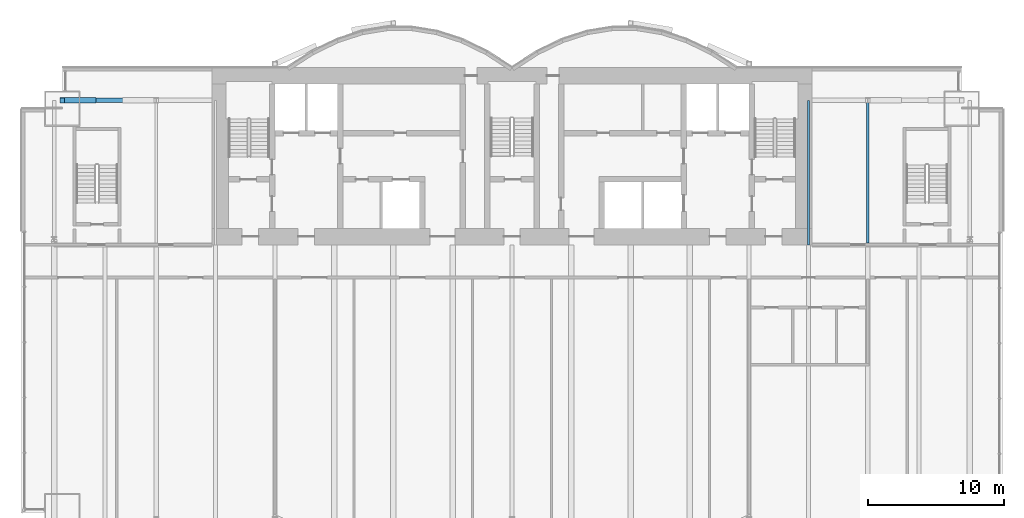
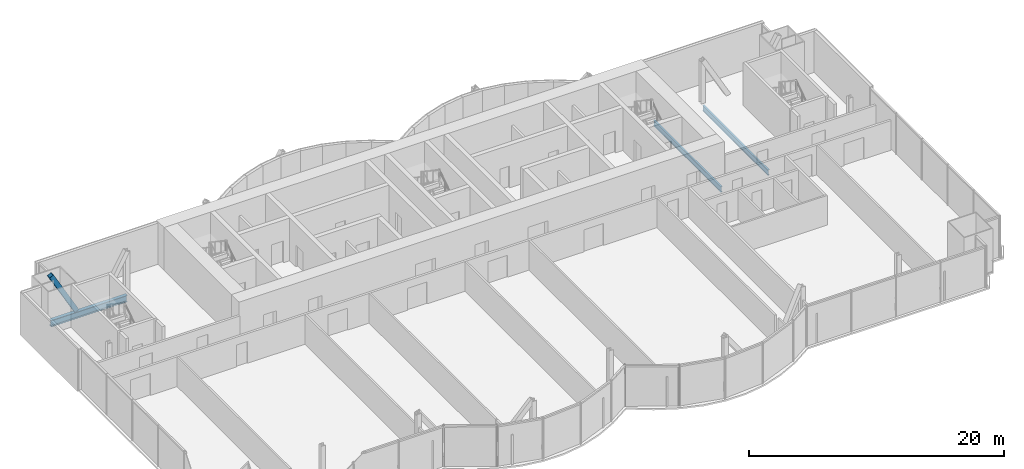
# One storey, part 10 of 22: 3 beams, 1 member.
"""IFC4 building model written with IfcOpenShell, lengths in metres."""

from ifc_helpers import new_model, si_unit, direction, frame, origin, origin_2d, place, context, subcontext, project, spatial, hollow_rectangle, i_section, extrude, material, material_profile, profile_set, type_object, element, save


model = new_model("IFC4")

# Units and contexts
model_context = context("Model", 3, precision=1e-05, world=origin(), true_north=direction((0.0, 1.0)))
body_context = subcontext(model_context, "Body", "Model", "MODEL_VIEW")
ifc_project = project(units=[si_unit("LENGTHUNIT", "METRE"), si_unit("AREAUNIT", "SQUARE_METRE"), si_unit("VOLUMEUNIT", "CUBIC_METRE"), si_unit("PLANEANGLEUNIT", "RADIAN"), si_unit("MASSUNIT", "GRAM", prefix="KILO")], contexts=[model_context])

# Site, building, storey
site_placement = place(None, origin())
site = spatial("IfcSite", under=ifc_project, at=site_placement, CompositionType="ELEMENT")
building_placement = place(site_placement, origin())
building = spatial("IfcBuilding", under=site, at=building_placement, Name="Bicima Exchange Tower", CompositionType="ELEMENT")
storey_placement = place(building_placement, frame((0.0, 0.0, 148.60009765625)))
storey = spatial("IfcBuildingStorey", under=building, at=storey_placement, Name="L32", CompositionType="ELEMENT", Elevation=148.60009765625)

# Beams
ifc_material_1 = material(Name="Steel ASTM A992 Gr 50", Category="steel")
ifc_material_profile_1 = material_profile(ifc_material_1, i_section(OverallWidth=0.165771484375, OverallDepth=0.5283203125, WebThickness=0.009765625, FlangeThickness=0.013671875, at=origin_2d()))
ifc_profile_set_1 = profile_set([ifc_material_profile_1], Name="Steel ASTM A992 Gr 50")
beam_type_1 = type_object("IfcBeamType", Name="Floor beam W21x50", PredefinedType="JOIST", material=ifc_profile_set_1)
beam_1_placement = place(storey_placement, frame((21.75, -2.39990234375, -0.414306640625), z_axis=(0.0, -1.0, 0.0), x_axis=(1.0, 0.0, 0.0)))
element("IfcBeam", 1, at=beam_1_placement, inside=storey, type_object=beam_type_1, Name="Floor beam", PredefinedType="JOIST", context=body_context, shape_type="SweptSolid", body=[
    extrude(i_section(OverallWidth=0.165771484375, OverallDepth=0.5283203125, WebThickness=0.009765625, FlangeThickness=0.013671875, at=origin_2d()), origin(), (0.0, 0.0, 1.0), 10.60009765625),
])
beam_2_placement = place(storey_placement, frame((26.10009765625, -2.5625, -0.414306640625), z_axis=(0.0, -1.0, 0.0), x_axis=(1.0, 0.0, 0.0)))
element("IfcBeam", 2, at=beam_2_placement, inside=storey, type_object=beam_type_1, Name="Floor beam", PredefinedType="JOIST", context=body_context, shape_type="SweptSolid", body=[
    extrude(i_section(OverallWidth=0.165771484375, OverallDepth=0.5283203125, WebThickness=0.009765625, FlangeThickness=0.013671875, at=origin_2d()), origin(), (0.0, 0.0, 1.0), 10.28515625),
])

# Member
ifc_material_2 = material(Name="Steel ASTM A572 Gr 50", Category="steel")
ifc_material_profile_2 = material_profile(ifc_material_2, hollow_rectangle(XDim=0.406494140625, YDim=0.406494140625, WallThickness=0.017822265625, at=origin_2d()))
ifc_profile_set_2 = profile_set([ifc_material_profile_2], Name="Steel ASTM A572 Gr 50")
member_type = type_object("IfcMemberType", Name="Mega brace HSS16x16x3/4", PredefinedType="BRACE", material=ifc_profile_set_2)
member_placement = place(storey_placement, frame((-30.699951171875, -2.39990234375, 0.0), z_axis=(-0.489272170815, 0.0, 0.872131150037), x_axis=(0.0, -1.0, 0.0)))
element("IfcMember", 3, at=member_placement, inside=storey, type_object=member_type, Name="Mega brace rear", PredefinedType="BRACE", context=body_context, shape_type="SweptSolid", body=[
    extrude(hollow_rectangle(XDim=0.406494140625, YDim=0.406494140625, WallThickness=0.017822265625, at=origin_2d()), origin(), (0.0, 0.0, 1.0), 4.700927734375),
])

# Beam
ifc_material_profile_3 = material_profile(ifc_material_1, i_section(OverallWidth=0.3251953125, OverallDepth=0.612060546875, WebThickness=0.0126953125, FlangeThickness=0.01904296875, at=origin_2d()))
ifc_profile_set_3 = profile_set([ifc_material_profile_3], Name="Steel ASTM A992 Gr 50")
beam_type_2 = type_object("IfcBeamType", Name="Rear girder W24x104", PredefinedType="BEAM", material=ifc_profile_set_3)
beam_3_placement = place(storey_placement, frame((-26.10009765625, -2.39990234375, -0.456298828125), z_axis=(-1.0, 0.0, 0.0), x_axis=(0.0, -1.0, 0.0)))
element("IfcBeam", 4, at=beam_3_placement, inside=storey, type_object=beam_type_2, Name="Rear girder", PredefinedType="BEAM", context=body_context, shape_type="SweptSolid", body=[
    extrude(i_section(OverallWidth=0.3251953125, OverallDepth=0.612060546875, WebThickness=0.0126953125, FlangeThickness=0.01904296875, at=origin_2d()), origin(), (0.0, 0.0, 1.0), 6.89990234375),
])

save(model, "model.ifc")
